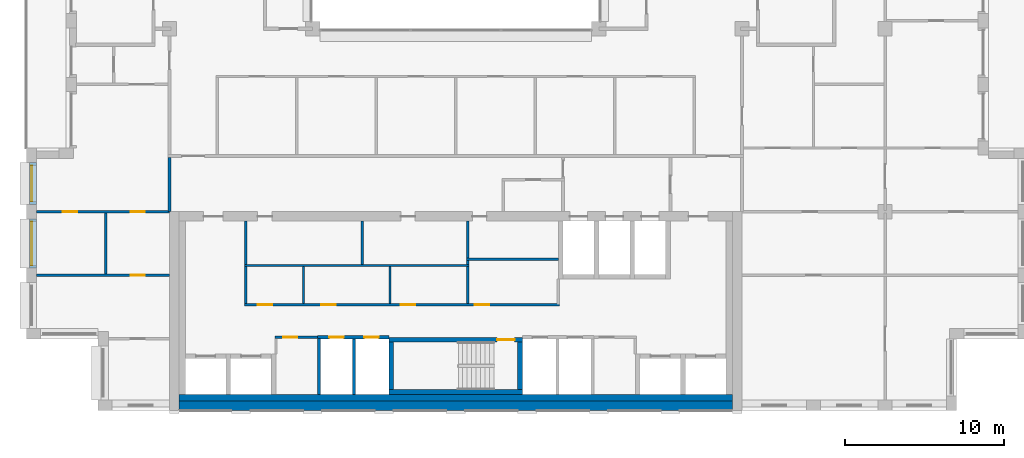
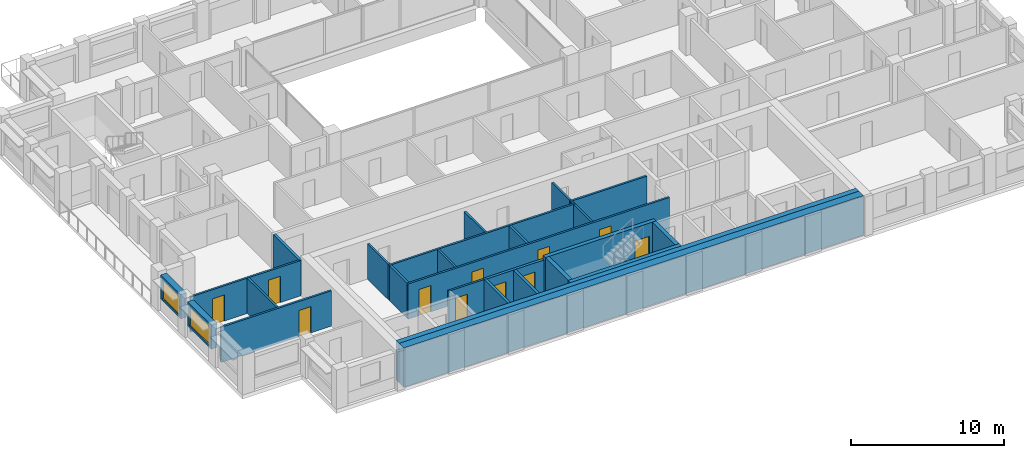
# One storey, part 8 of 15: 27 walls, 11 doors, 2 windows, 13 openings.
"""IFC4 building model written with IfcOpenShell, lengths in metres."""

from ifc_helpers import new_model, si_unit, direction, frame, frame_2d, origin, place, context, subcontext, project, spatial, rectangle, extrude, material, layer, layer_set, type_object, element, fill, save


model = new_model("IFC4")

# Units and contexts
model_context = context("Model", 3, precision=1e-05, world=origin(), true_north=direction((0.0, 1.0)))
body_context = subcontext(model_context, "Body", "Model", "MODEL_VIEW")
ifc_project = project(units=[si_unit("LENGTHUNIT", "METRE"), si_unit("AREAUNIT", "SQUARE_METRE"), si_unit("VOLUMEUNIT", "CUBIC_METRE"), si_unit("PLANEANGLEUNIT", "RADIAN"), si_unit("MASSUNIT", "GRAM", prefix="KILO")], contexts=[model_context])

# Site, building, storey
site_placement = place(None, origin())
site = spatial("IfcSite", under=ifc_project, at=site_placement, CompositionType="ELEMENT")
building_placement = place(site_placement, origin())
building = spatial("IfcBuilding", under=site, at=building_placement, Name="Brigalow Station Residences", CompositionType="ELEMENT")
storey_placement = place(building_placement, frame((0.0, 0.0, 210.60009765625)))
storey = spatial("IfcBuildingStorey", under=building, at=storey_placement, Name="L60", CompositionType="ELEMENT", Elevation=210.60009765625)

# Wall, opening, window
ifc_material_1 = material(Name="Clay brick masonry", Category="masonry")
ifc_layer_1 = layer(ifc_material_1, 0.449951171875)
ifc_layer_set_1 = layer_set([ifc_layer_1], Name="BRICK INFILL WALL 450")
wall_type_1 = type_object("IfcWallType", Name="BRICK INFILL WALL 450", PredefinedType="SOLIDWALL", material=ifc_layer_set_1)
wall_1_placement = place(storey_placement, frame((9.425048828125, 15.60009765625, 0.89990234375), z_axis=(0.0, 0.0, 1.0), x_axis=(0.0, -1.0, 0.0)))
wall_1 = element("IfcWall", 1, at=wall_1_placement, inside=storey, type_object=wall_type_1, Name="L60/ewall/W-L60-41", PredefinedType="SOLIDWALL", context=body_context, shape_type="SweptSolid", body=[
    extrude(rectangle(XDim=2.650146484375, YDim=0.449951171875, at=frame_2d((1.3251953125, 0.0))), origin(), (0.0, 0.0, 1.0), 1.929931640625),
])
opening_1_placement = place(wall_1_placement, frame((0.199951171875, 0.0, 0.14990234375)))
opening_1 = element("IfcOpeningElement", 2, at=opening_1_placement, cuts=wall_1, Name="Opening WT-6", PredefinedType="OPENING", context=body_context, shape_type="SweptSolid", body=[
    extrude(rectangle(XDim=2.25, YDim=1.5, at=frame_2d((1.125, 0.75))), frame((0.0, 0.23486328125, 0.0), z_axis=(0.0, -1.0, 0.0), x_axis=(1.0, 0.0, 0.0)), (0.0, 0.0, 1.0), 0.469970703125),
])
ifc_material_2 = material(Name="Anodised aluminium frame with double glazing", Category="aluminium")
window_type_1 = type_object("IfcWindowType", Name="WINDOW 2250x1500", PartitioningType="SINGLE_PANEL", PredefinedType="WINDOW", material=ifc_material_2)
window_1_placement = place(opening_1_placement, origin())
window_1 = element("IfcWindow", 3, at=window_1_placement, inside=storey, type_object=window_type_1, Name="L60/window/W-L60-41", OverallHeight=1.5, OverallWidth=2.25, PartitioningType="SINGLE_PANEL", PredefinedType="WINDOW", context=body_context, shape_type="SweptSolid", body=[
    extrude(rectangle(XDim=2.25, YDim=1.5, at=frame_2d((1.125, 0.75))), frame((0.0, -0.06494140625, 0.0), z_axis=(0.0, -1.0, 0.0), x_axis=(1.0, 0.0, 0.0)), (0.0, 0.0, 1.0), 0.06005859375),
])
fill(opening_1, window_1)

wall_2_placement = place(storey_placement, frame((9.425048828125, 12.050048828125, 0.89990234375), z_axis=(0.0, 0.0, 1.0), x_axis=(0.0, -1.0, 0.0)))
wall_2 = element("IfcWall", 4, at=wall_2_placement, inside=storey, type_object=wall_type_1, Name="L60/ewall/W-L60-42", PredefinedType="SOLIDWALL", context=body_context, shape_type="SweptSolid", body=[
    extrude(rectangle(XDim=3.10009765625, YDim=0.449951171875, at=frame_2d((1.550048828125, 0.0))), origin(), (0.0, 0.0, 1.0), 1.929931640625),
])
opening_2_placement = place(wall_2_placement, frame((0.175048828125, 0.0, 0.14990234375)))
opening_2 = element("IfcOpeningElement", 5, at=opening_2_placement, cuts=wall_2, Name="Opening WT-3", PredefinedType="OPENING", context=body_context, shape_type="SweptSolid", body=[
    extrude(rectangle(XDim=2.75, YDim=1.5, at=frame_2d((1.375, 0.75))), frame((0.0, 0.23486328125, 0.0), z_axis=(0.0, -1.0, 0.0), x_axis=(1.0, 0.0, 0.0)), (0.0, 0.0, 1.0), 0.469970703125),
])
ifc_material_3 = material(Name="Anodised aluminium frame with double glazing", Category="aluminium")
window_type_2 = type_object("IfcWindowType", Name="WINDOW 2750x1500", PartitioningType="SINGLE_PANEL", PredefinedType="WINDOW", material=ifc_material_3)
window_2_placement = place(opening_2_placement, origin())
window_2 = element("IfcWindow", 6, at=window_2_placement, inside=storey, type_object=window_type_2, Name="L60/window/W-L60-42", OverallHeight=1.5, OverallWidth=2.75, PartitioningType="SINGLE_PANEL", PredefinedType="WINDOW", context=body_context, shape_type="SweptSolid", body=[
    extrude(rectangle(XDim=2.75, YDim=1.5, at=frame_2d((1.375, 0.75))), frame((0.0, -0.06494140625, 0.0), z_axis=(0.0, -1.0, 0.0), x_axis=(1.0, 0.0, 0.0)), (0.0, 0.0, 1.0), 0.06005859375),
])
fill(opening_2, window_2)

# Wall
ifc_material_4 = material(Name="Concrete C50", Category="concrete")
ifc_layer_2 = layer(ifc_material_4, 0.300048828125)
ifc_layer_set_2 = layer_set([ifc_layer_2], Name="CORE SHEAR WALL 300 C50")
wall_type_2 = type_object("IfcWallType", Name="CORE SHEAR WALL 300 C50", PredefinedType="SHEAR", material=ifc_layer_set_2)
wall_3_placement = place(storey_placement, frame((31.800048828125, 1.14990234375, 0.0), z_axis=(0.0, 0.0, 1.0), x_axis=(1.0, 0.0, 0.0)))
element("IfcWall", 7, at=wall_3_placement, inside=storey, type_object=wall_type_2, Name="CORE WALL ST-S2-S L60", PredefinedType="SHEAR", context=body_context, shape_type="SweptSolid", body=[
    extrude(rectangle(XDim=8.39990234375, YDim=0.300048828125, at=frame_2d((4.199951171875, 0.0))), origin(), (0.0, 0.0, 1.0), 3.14990234375),
])

# Wall, opening, door
wall_4_placement = place(storey_placement, frame((31.800048828125, 4.449951171875, 0.0), z_axis=(0.0, 0.0, 1.0), x_axis=(1.0, 0.0, 0.0)))
wall_4 = element("IfcWall", 8, at=wall_4_placement, inside=storey, type_object=wall_type_2, Name="CORE WALL ST-S2-N L60", PredefinedType="SHEAR", context=body_context, shape_type="SweptSolid", body=[
    extrude(rectangle(XDim=8.39990234375, YDim=0.300048828125, at=frame_2d((4.199951171875, 0.0))), origin(), (0.0, 0.0, 1.0), 3.14990234375),
])
opening_3_placement = place(wall_4_placement, frame((6.800048828125, 0.0, 0.0)))
opening_3 = element("IfcOpeningElement", 9, at=opening_3_placement, cuts=wall_4, Name="Opening D-5001", PredefinedType="OPENING", context=body_context, shape_type="SweptSolid", body=[
    extrude(rectangle(XDim=1.10009765625, YDim=2.10009765625, at=frame_2d((0.550048828125, 1.050048828125))), frame((0.0, 0.16015625, 0.0), z_axis=(0.0, -1.0, 0.0), x_axis=(1.0, 0.0, 0.0)), (0.0, 0.0, 1.0), 0.320068359375),
])
ifc_material_5 = material(Name="Steel fire door leaf in steel frame", Category="steel")
door_type_1 = type_object("IfcDoorType", Name="STAIR DOOR 1100 x 2100 FD60S", OperationType="SINGLE_SWING_LEFT", PredefinedType="DOOR", material=ifc_material_5)
door_1_placement = place(opening_3_placement, frame((1.10009765625, 0.0, 0.0), z_axis=(0.0, 0.0, 1.0), x_axis=(-1.0, 0.0, 0.0)))
door_1 = element("IfcDoor", 10, at=door_1_placement, inside=storey, type_object=door_type_1, Name="D-5001", OperationType="SINGLE_SWING_LEFT", OverallHeight=2.10009765625, OverallWidth=1.10009765625, PredefinedType="DOOR", context=body_context, shape_type="SweptSolid", body=[
    extrude(rectangle(XDim=1.10009765625, YDim=2.10009765625, at=frame_2d((0.550048828125, 1.050048828125))), frame((0.0, 0.02490234375, 0.0), z_axis=(0.0, -1.0, 0.0), x_axis=(1.0, 0.0, 0.0)), (0.0, 0.0, 1.0), 0.050048828125),
])
fill(opening_3, door_1)

# Walls
for number, where, z_axis, x_axis, name in (
    (11, (31.949951171875, 1.300048828125, 0.0), (0.0, 0.0, 1.0), (0.0, 1.0, 0.0), "CORE WALL ST-S2-W L60"),
    (12, (40.050048828125, 1.300048828125, 0.0), (0.0, 0.0, 1.0), (0.0, 1.0, 0.0), "CORE WALL ST-S2-E L60"),
):
    element("IfcWall", number, at=place(storey_placement, frame(where, z_axis=z_axis, x_axis=x_axis)), inside=storey, type_object=wall_type_2, Name=name, PredefinedType="SHEAR", context=body_context, shape_type="SweptSolid", body=[
        extrude(rectangle(XDim=3.0, YDim=0.300048828125, at=frame_2d((1.5, 0.0))), origin(), (0.0, 0.0, 1.0), 3.14990234375),
    ])
ifc_material_6 = material(Name="Concrete C50", Category="concrete")
ifc_layer_3 = layer(ifc_material_6, 0.39990234375)
ifc_layer_set_3 = layer_set([ifc_layer_3], Name="CORE SHEAR WALL 400 C50")
wall_type_3 = type_object("IfcWallType", Name="CORE SHEAR WALL 400 C50", PredefinedType="SHEAR", material=ifc_layer_set_3)
wall_5_placement = place(storey_placement, frame((18.60009765625, 0.800048828125, 0.0), z_axis=(0.0, 0.0, 1.0), x_axis=(1.0, 0.0, 0.0)))
element("IfcWall", 13, at=wall_5_placement, inside=storey, type_object=wall_type_3, Name="CORE WALL LIN-S L60", PredefinedType="SHEAR", context=body_context, shape_type="SweptSolid", body=[
    extrude(rectangle(XDim=34.7998046875, YDim=0.39990234375, at=frame_2d((17.39990234375, 0.0))), origin(), (0.0, 0.0, 1.0), 3.14990234375),
])
ifc_material_7 = material(Name="Concrete C50", Category="concrete")
ifc_layer_4 = layer(ifc_material_7, 0.60009765625)
ifc_layer_set_4 = layer_set([ifc_layer_4], Name="CORE SHEAR WALL 600 C50")
wall_type_4 = type_object("IfcWallType", Name="CORE SHEAR WALL 600 C50", PredefinedType="SHEAR", material=ifc_layer_set_4)
wall_6_placement = place(storey_placement, frame((18.60009765625, 0.300048828125, 0.0), z_axis=(0.0, 0.0, 1.0), x_axis=(1.0, 0.0, 0.0)))
element("IfcWall", 14, at=wall_6_placement, inside=storey, type_object=wall_type_4, Name="CORE WALL OUT-S L60", PredefinedType="SHEAR", context=body_context, shape_type="SweptSolid", body=[
    extrude(rectangle(XDim=34.7998046875, YDim=0.60009765625, at=frame_2d((17.39990234375, 0.0))), origin(), (0.0, 0.0, 1.0), 3.14990234375),
])

# Wall, openings, doors
ifc_material_8 = material(Name="Concrete blockwork", Category="masonry")
ifc_layer_5 = layer(ifc_material_8, 0.199951171875)
ifc_layer_set_5 = layer_set([ifc_layer_5], Name="FIRE RATED CORE PARTITION 200")
wall_type_5 = type_object("IfcWallType", Name="FIRE RATED CORE PARTITION 200", PredefinedType="PARTITIONING", material=ifc_layer_set_5)
wall_7_placement = place(storey_placement, frame((27.300048828125, 4.60009765625, 0.0), z_axis=(0.0, 0.0, 1.0), x_axis=(1.0, 0.0, 0.0)))
wall_7 = element("IfcWall", 15, at=wall_7_placement, inside=storey, type_object=wall_type_5, Name="PW-5017", PredefinedType="PARTITIONING", context=body_context, shape_type="SweptSolid", body=[
    extrude(rectangle(XDim=4.5, YDim=0.199951171875, at=frame_2d((2.25, 0.0))), origin(), (0.0, 0.0, 1.0), 2.829833984375),
])
opening_4_placement = place(wall_7_placement, frame((0.75, 0.0, 0.0)))
opening_4 = element("IfcOpeningElement", 16, at=opening_4_placement, cuts=wall_7, Name="Opening D-5007", PredefinedType="OPENING", context=body_context, shape_type="SweptSolid", body=[
    extrude(rectangle(XDim=0.89990234375, YDim=2.10009765625, at=frame_2d((0.449951171875, 1.050048828125))), frame((0.0, 0.10986328125, 0.0), z_axis=(0.0, -1.0, 0.0), x_axis=(1.0, 0.0, 0.0)), (0.0, 0.0, 1.0), 0.219970703125),
])
opening_5_placement = place(wall_7_placement, frame((2.949951171875, 0.0, 0.0)))
opening_5 = element("IfcOpeningElement", 17, at=opening_5_placement, cuts=wall_7, Name="Opening D-5008", PredefinedType="OPENING", context=body_context, shape_type="SweptSolid", body=[
    extrude(rectangle(XDim=0.89990234375, YDim=2.10009765625, at=frame_2d((0.449951171875, 1.050048828125))), frame((0.0, 0.10986328125, 0.0), z_axis=(0.0, -1.0, 0.0), x_axis=(1.0, 0.0, 0.0)), (0.0, 0.0, 1.0), 0.219970703125),
])
ifc_material_9 = material(Name="Steel fire door leaf in steel frame", Category="steel")
door_type_2 = type_object("IfcDoorType", Name="RISER ACCESS DOOR 900 x 2100 FD120", OperationType="SINGLE_SWING_LEFT", PredefinedType="DOOR", material=ifc_material_9)
door_2_placement = place(opening_4_placement, frame((0.89990234375, 0.0, 0.0), z_axis=(0.0, 0.0, 1.0), x_axis=(-1.0, 0.0, 0.0)))
door_2 = element("IfcDoor", 18, at=door_2_placement, inside=storey, type_object=door_type_2, Name="D-5007", OperationType="SINGLE_SWING_RIGHT", OverallHeight=2.10009765625, OverallWidth=0.89990234375, PredefinedType="DOOR", context=body_context, shape_type="SweptSolid", body=[
    extrude(rectangle(XDim=0.89990234375, YDim=2.10009765625, at=frame_2d((0.449951171875, 1.050048828125))), frame((0.0, 0.02490234375, 0.0), z_axis=(0.0, -1.0, 0.0), x_axis=(1.0, 0.0, 0.0)), (0.0, 0.0, 1.0), 0.050048828125),
])
fill(opening_4, door_2)
door_3_placement = place(opening_5_placement, frame((0.89990234375, 0.0, 0.0), z_axis=(0.0, 0.0, 1.0), x_axis=(-1.0, 0.0, 0.0)))
door_3 = element("IfcDoor", 19, at=door_3_placement, inside=storey, type_object=door_type_2, Name="D-5008", OperationType="SINGLE_SWING_RIGHT", OverallHeight=2.10009765625, OverallWidth=0.89990234375, PredefinedType="DOOR", context=body_context, shape_type="SweptSolid", body=[
    extrude(rectangle(XDim=0.89990234375, YDim=2.10009765625, at=frame_2d((0.449951171875, 1.050048828125))), frame((0.0, 0.02490234375, 0.0), z_axis=(0.0, -1.0, 0.0), x_axis=(1.0, 0.0, 0.0)), (0.0, 0.0, 1.0), 0.050048828125),
])
fill(opening_5, door_3)

# Walls
wall_8_placement = place(storey_placement, frame((27.39990234375, 1.0, 0.0), z_axis=(0.0, 0.0, 1.0), x_axis=(0.0, 1.0, 0.0)))
element("IfcWall", 20, at=wall_8_placement, inside=storey, type_object=wall_type_5, Name="PW-5027", PredefinedType="PARTITIONING", context=body_context, shape_type="SweptSolid", body=[
    extrude(rectangle(XDim=3.52490234375, YDim=0.199951171875, at=frame_2d((1.762451171875, 0.0))), origin(), (0.0, 0.0, 1.0), 2.829833984375),
])
wall_9_placement = place(storey_placement, frame((29.60009765625, 1.0, 0.0), z_axis=(0.0, 0.0, 1.0), x_axis=(0.0, 1.0, 0.0)))
element("IfcWall", 21, at=wall_9_placement, inside=storey, type_object=wall_type_5, Name="PW-5006", PredefinedType="PARTITIONING", context=body_context, shape_type="SweptSolid", body=[
    extrude(rectangle(XDim=3.5, YDim=0.199951171875, at=frame_2d((1.75, 0.0))), origin(), (0.0, 0.0, 1.0), 2.829833984375),
])
wall_10_placement = place(storey_placement, frame((18.0, 12.5, 0.0), z_axis=(0.0, 0.0, 1.0), x_axis=(0.0, 1.0, 0.0)))
element("IfcWall", 22, at=wall_10_placement, inside=storey, type_object=wall_type_5, Name="PW-5013", PredefinedType="PARTITIONING", context=body_context, shape_type="SweptSolid", body=[
    extrude(rectangle(XDim=3.39990234375, YDim=0.199951171875, at=frame_2d((1.699951171875, 0.0))), origin(), (0.0, 0.0, 1.0), 2.829833984375),
])

# Wall, openings, doors
ifc_material_10 = material(Name="Plasterboard on steel stud partition", Category="steel")
ifc_layer_6 = layer(ifc_material_10, 0.14990234375)
ifc_layer_set_6 = layer_set([ifc_layer_6], Name="FLAT PARTITION 150")
wall_type_6 = type_object("IfcWallType", Name="FLAT PARTITION 150", PredefinedType="PARTITIONING", material=ifc_layer_set_6)
wall_11_placement = place(storey_placement, frame((9.64990234375, 12.5, 0.0), z_axis=(0.0, 0.0, 1.0), x_axis=(1.0, 0.0, 0.0)))
wall_11 = element("IfcWall", 23, at=wall_11_placement, inside=storey, type_object=wall_type_6, Name="PW-4B10", PredefinedType="PARTITIONING", context=body_context, shape_type="SweptSolid", body=[
    extrude(rectangle(XDim=8.35009765625, YDim=0.14990234375, at=frame_2d((4.175048828125, 0.0))), origin(), (0.0, 0.0, 1.0), 2.829833984375),
])
opening_6_placement = place(wall_11_placement, frame((1.64990234375, 0.0, 0.0)))
opening_6 = element("IfcOpeningElement", 24, at=opening_6_placement, cuts=wall_11, Name="Opening D-4B06", PredefinedType="OPENING", context=body_context, shape_type="SweptSolid", body=[
    extrude(rectangle(XDim=0.89990234375, YDim=2.10009765625, at=frame_2d((0.449951171875, 1.050048828125))), frame((0.0, 0.0849609375, 0.0), z_axis=(0.0, -1.0, 0.0), x_axis=(1.0, 0.0, 0.0)), (0.0, 0.0, 1.0), 0.169921875),
])
opening_7_placement = place(wall_11_placement, frame((5.89990234375, 0.0, 0.0)))
opening_7 = element("IfcOpeningElement", 25, at=opening_7_placement, cuts=wall_11, Name="Opening D-4B07", PredefinedType="OPENING", context=body_context, shape_type="SweptSolid", body=[
    extrude(rectangle(XDim=0.89990234375, YDim=2.10009765625, at=frame_2d((0.449951171875, 1.050048828125))), frame((0.0, 0.0849609375, 0.0), z_axis=(0.0, -1.0, 0.0), x_axis=(1.0, 0.0, 0.0)), (0.0, 0.0, 1.0), 0.169921875),
])
ifc_material_11 = material(Name="Solid-core timber door leaf", Category="wood")
door_type_3 = type_object("IfcDoorType", Name="INTERNAL DOOR 900 x 2100", OperationType="SINGLE_SWING_LEFT", PredefinedType="DOOR", material=ifc_material_11)
door_4_placement = place(opening_6_placement, frame((0.89990234375, 0.0, 0.0), z_axis=(0.0, 0.0, 1.0), x_axis=(-1.0, 0.0, 0.0)))
door_4 = element("IfcDoor", 26, at=door_4_placement, inside=storey, type_object=door_type_3, Name="D-4B06", OperationType="SINGLE_SWING_RIGHT", OverallHeight=2.10009765625, OverallWidth=0.89990234375, PredefinedType="DOOR", context=body_context, shape_type="SweptSolid", body=[
    extrude(rectangle(XDim=0.89990234375, YDim=2.10009765625, at=frame_2d((0.449951171875, 1.050048828125))), frame((0.0, 0.02490234375, 0.0), z_axis=(0.0, -1.0, 0.0), x_axis=(1.0, 0.0, 0.0)), (0.0, 0.0, 1.0), 0.050048828125),
])
fill(opening_6, door_4)
door_5_placement = place(opening_7_placement, origin())
door_5 = element("IfcDoor", 27, at=door_5_placement, inside=storey, type_object=door_type_3, Name="D-4B07", OperationType="SINGLE_SWING_RIGHT", OverallHeight=2.10009765625, OverallWidth=0.89990234375, PredefinedType="DOOR", context=body_context, shape_type="SweptSolid", body=[
    extrude(rectangle(XDim=0.89990234375, YDim=2.10009765625, at=frame_2d((0.449951171875, 1.050048828125))), frame((0.0, 0.02490234375, 0.0), z_axis=(0.0, -1.0, 0.0), x_axis=(1.0, 0.0, 0.0)), (0.0, 0.0, 1.0), 0.050048828125),
])
fill(opening_7, door_5)

# Wall, opening, door
wall_12_placement = place(storey_placement, frame((9.64990234375, 8.5, 0.0), z_axis=(0.0, 0.0, 1.0), x_axis=(1.0, 0.0, 0.0)))
wall_12 = element("IfcWall", 28, at=wall_12_placement, inside=storey, type_object=wall_type_6, Name="PW-4B12", PredefinedType="PARTITIONING", context=body_context, shape_type="SweptSolid", body=[
    extrude(rectangle(XDim=8.35009765625, YDim=0.14990234375, at=frame_2d((4.175048828125, 0.0))), origin(), (0.0, 0.0, 1.0), 2.829833984375),
])
opening_8_placement = place(wall_12_placement, frame((5.89990234375, 0.0, 0.0)))
opening_8 = element("IfcOpeningElement", 29, at=opening_8_placement, cuts=wall_12, Name="Opening D-4B08", PredefinedType="OPENING", context=body_context, shape_type="SweptSolid", body=[
    extrude(rectangle(XDim=0.89990234375, YDim=2.10009765625, at=frame_2d((0.449951171875, 1.050048828125))), frame((0.0, 0.0849609375, 0.0), z_axis=(0.0, -1.0, 0.0), x_axis=(1.0, 0.0, 0.0)), (0.0, 0.0, 1.0), 0.169921875),
])
door_6_placement = place(opening_8_placement, frame((0.89990234375, 0.0, 0.0), z_axis=(0.0, 0.0, 1.0), x_axis=(-1.0, 0.0, 0.0)))
door_6 = element("IfcDoor", 30, at=door_6_placement, inside=storey, type_object=door_type_3, Name="D-4B08", OperationType="SINGLE_SWING_LEFT", OverallHeight=2.10009765625, OverallWidth=0.89990234375, PredefinedType="DOOR", context=body_context, shape_type="SweptSolid", body=[
    extrude(rectangle(XDim=0.89990234375, YDim=2.10009765625, at=frame_2d((0.449951171875, 1.050048828125))), frame((0.0, 0.02490234375, 0.0), z_axis=(0.0, -1.0, 0.0), x_axis=(1.0, 0.0, 0.0)), (0.0, 0.0, 1.0), 0.050048828125),
])
fill(opening_8, door_6)

# Wall
wall_13_placement = place(storey_placement, frame((14.0, 8.574951171875, 0.0), z_axis=(0.0, 0.0, 1.0), x_axis=(0.0, 1.0, 0.0)))
element("IfcWall", 31, at=wall_13_placement, inside=storey, type_object=wall_type_6, Name="PW-4B38", PredefinedType="PARTITIONING", context=body_context, shape_type="SweptSolid", body=[
    extrude(rectangle(XDim=3.85009765625, YDim=0.14990234375, at=frame_2d((1.925048828125, 0.0))), origin(), (0.0, 0.0, 1.0), 2.829833984375),
])

# Wall, opening, door
ifc_material_12 = material(Name="Plasterboard on steel studs", Category="steel")
ifc_layer_7 = layer(ifc_material_12, 0.14990234375)
ifc_layer_set_7 = layer_set([ifc_layer_7], Name="SERVICE ROOM PARTITION 150")
wall_type_7 = type_object("IfcWallType", Name="SERVICE ROOM PARTITION 150", PredefinedType="PARTITIONING", material=ifc_layer_set_7)
wall_14_placement = place(storey_placement, frame((24.625, 4.60009765625, 0.0), z_axis=(0.0, 0.0, 1.0), x_axis=(1.0, 0.0, 0.0)))
wall_14 = element("IfcWall", 32, at=wall_14_placement, inside=storey, type_object=wall_type_7, Name="PW-5155", PredefinedType="PARTITIONING", context=body_context, shape_type="SweptSolid", body=[
    extrude(rectangle(XDim=2.675048828125, YDim=0.14990234375, at=frame_2d((1.33740234375, 0.0))), origin(), (0.0, 0.0, 1.0), 2.829833984375),
])
opening_9_placement = place(wall_14_placement, frame((0.52490234375, 0.0, 0.0)))
opening_9 = element("IfcOpeningElement", 33, at=opening_9_placement, cuts=wall_14, Name="Opening D-5087", PredefinedType="OPENING", context=body_context, shape_type="SweptSolid", body=[
    extrude(rectangle(XDim=0.89990234375, YDim=2.10009765625, at=frame_2d((0.449951171875, 1.050048828125))), frame((0.0, 0.0849609375, 0.0), z_axis=(0.0, -1.0, 0.0), x_axis=(1.0, 0.0, 0.0)), (0.0, 0.0, 1.0), 0.169921875),
])
ifc_material_13 = material(Name="Steel door leaf in steel frame", Category="steel")
door_type_4 = type_object("IfcDoorType", Name="SERVICE ROOM DOOR 900 x 2100 FD60", OperationType="SINGLE_SWING_LEFT", PredefinedType="DOOR", material=ifc_material_13)
door_7_placement = place(opening_9_placement, frame((0.89990234375, 0.0, 0.0), z_axis=(0.0, 0.0, 1.0), x_axis=(-1.0, 0.0, 0.0)))
door_7 = element("IfcDoor", 34, at=door_7_placement, inside=storey, type_object=door_type_4, Name="D-5087", OperationType="SINGLE_SWING_RIGHT", OverallHeight=2.10009765625, OverallWidth=0.89990234375, PredefinedType="DOOR", context=body_context, shape_type="SweptSolid", body=[
    extrude(rectangle(XDim=0.89990234375, YDim=2.10009765625, at=frame_2d((0.449951171875, 1.050048828125))), frame((0.0, 0.02490234375, 0.0), z_axis=(0.0, -1.0, 0.0), x_axis=(1.0, 0.0, 0.0)), (0.0, 0.0, 1.0), 0.050048828125),
])
fill(opening_9, door_7)

# Wall, openings, doors
wall_15_placement = place(storey_placement, frame((22.72509765625, 6.64990234375, 0.0), z_axis=(0.0, 0.0, 1.0), x_axis=(1.0, 0.0, 0.0)))
wall_15 = element("IfcWall", 35, at=wall_15_placement, inside=storey, type_object=wall_type_7, Name="PW-5195", PredefinedType="PARTITIONING", context=body_context, shape_type="SweptSolid", body=[
    extrude(rectangle(XDim=19.7998046875, YDim=0.14990234375, at=frame_2d((9.89990234375, 0.0))), origin(), (0.0, 0.0, 1.0), 2.829833984375),
])
opening_10_placement = place(wall_15_placement, frame((0.824951171875, 0.0, 0.0)))
opening_10 = element("IfcOpeningElement", 36, at=opening_10_placement, cuts=wall_15, Name="Opening D-5110", PredefinedType="OPENING", context=body_context, shape_type="SweptSolid", body=[
    extrude(rectangle(XDim=0.89990234375, YDim=2.10009765625, at=frame_2d((0.449951171875, 1.050048828125))), frame((0.0, 0.0849609375, 0.0), z_axis=(0.0, -1.0, 0.0), x_axis=(1.0, 0.0, 0.0)), (0.0, 0.0, 1.0), 0.169921875),
])
opening_11_placement = place(wall_15_placement, frame((4.824951171875, 0.0, 0.0)))
opening_11 = element("IfcOpeningElement", 37, at=opening_11_placement, cuts=wall_15, Name="Opening D-5116", PredefinedType="OPENING", context=body_context, shape_type="SweptSolid", body=[
    extrude(rectangle(XDim=0.89990234375, YDim=2.10009765625, at=frame_2d((0.449951171875, 1.050048828125))), frame((0.0, 0.0849609375, 0.0), z_axis=(0.0, -1.0, 0.0), x_axis=(1.0, 0.0, 0.0)), (0.0, 0.0, 1.0), 0.169921875),
])
opening_12_placement = place(wall_15_placement, frame((9.824951171875, 0.0, 0.0)))
opening_12 = element("IfcOpeningElement", 38, at=opening_12_placement, cuts=wall_15, Name="Opening D-5117", PredefinedType="OPENING", context=body_context, shape_type="SweptSolid", body=[
    extrude(rectangle(XDim=0.89990234375, YDim=2.10009765625, at=frame_2d((0.449951171875, 1.050048828125))), frame((0.0, 0.0849609375, 0.0), z_axis=(0.0, -1.0, 0.0), x_axis=(1.0, 0.0, 0.0)), (0.0, 0.0, 1.0), 0.169921875),
])
opening_13_placement = place(wall_15_placement, frame((14.47509765625, 0.0, 0.0)))
opening_13 = element("IfcOpeningElement", 39, at=opening_13_placement, cuts=wall_15, Name="Opening D-5114", PredefinedType="OPENING", context=body_context, shape_type="SweptSolid", body=[
    extrude(rectangle(XDim=0.89990234375, YDim=2.10009765625, at=frame_2d((0.449951171875, 1.050048828125))), frame((0.0, 0.0849609375, 0.0), z_axis=(0.0, -1.0, 0.0), x_axis=(1.0, 0.0, 0.0)), (0.0, 0.0, 1.0), 0.169921875),
])
door_8_placement = place(opening_10_placement, origin())
door_8 = element("IfcDoor", 40, at=door_8_placement, inside=storey, type_object=door_type_4, Name="D-5110", OperationType="SINGLE_SWING_LEFT", OverallHeight=2.10009765625, OverallWidth=0.89990234375, PredefinedType="DOOR", context=body_context, shape_type="SweptSolid", body=[
    extrude(rectangle(XDim=0.89990234375, YDim=2.10009765625, at=frame_2d((0.449951171875, 1.050048828125))), frame((0.0, 0.02490234375, 0.0), z_axis=(0.0, -1.0, 0.0), x_axis=(1.0, 0.0, 0.0)), (0.0, 0.0, 1.0), 0.050048828125),
])
fill(opening_10, door_8)
door_9_placement = place(opening_11_placement, origin())
door_9 = element("IfcDoor", 41, at=door_9_placement, inside=storey, type_object=door_type_4, Name="D-5116", OperationType="SINGLE_SWING_LEFT", OverallHeight=2.10009765625, OverallWidth=0.89990234375, PredefinedType="DOOR", context=body_context, shape_type="SweptSolid", body=[
    extrude(rectangle(XDim=0.89990234375, YDim=2.10009765625, at=frame_2d((0.449951171875, 1.050048828125))), frame((0.0, 0.02490234375, 0.0), z_axis=(0.0, -1.0, 0.0), x_axis=(1.0, 0.0, 0.0)), (0.0, 0.0, 1.0), 0.050048828125),
])
fill(opening_11, door_9)
door_10_placement = place(opening_12_placement, origin())
door_10 = element("IfcDoor", 42, at=door_10_placement, inside=storey, type_object=door_type_4, Name="D-5117", OperationType="SINGLE_SWING_LEFT", OverallHeight=2.10009765625, OverallWidth=0.89990234375, PredefinedType="DOOR", context=body_context, shape_type="SweptSolid", body=[
    extrude(rectangle(XDim=0.89990234375, YDim=2.10009765625, at=frame_2d((0.449951171875, 1.050048828125))), frame((0.0, 0.02490234375, 0.0), z_axis=(0.0, -1.0, 0.0), x_axis=(1.0, 0.0, 0.0)), (0.0, 0.0, 1.0), 0.050048828125),
])
fill(opening_12, door_10)
door_11_placement = place(opening_13_placement, origin())
door_11 = element("IfcDoor", 43, at=door_11_placement, inside=storey, type_object=door_type_4, Name="D-5114", OperationType="SINGLE_SWING_LEFT", OverallHeight=2.10009765625, OverallWidth=0.89990234375, PredefinedType="DOOR", context=body_context, shape_type="SweptSolid", body=[
    extrude(rectangle(XDim=0.89990234375, YDim=2.10009765625, at=frame_2d((0.449951171875, 1.050048828125))), frame((0.0, 0.02490234375, 0.0), z_axis=(0.0, -1.0, 0.0), x_axis=(1.0, 0.0, 0.0)), (0.0, 0.0, 1.0), 0.050048828125),
])
fill(opening_13, door_11)

# Walls
wall_16_placement = place(storey_placement, frame((22.72509765625, 9.110107421875, 0.0), z_axis=(0.0, 0.0, 1.0), x_axis=(1.0, 0.0, 0.0)))
element("IfcWall", 44, at=wall_16_placement, inside=storey, type_object=wall_type_7, Name="PW-5214", PredefinedType="PARTITIONING", context=body_context, shape_type="SweptSolid", body=[
    extrude(rectangle(XDim=14.099853515625, YDim=0.14990234375, at=frame_2d((7.0498046875, 0.0))), origin(), (0.0, 0.0, 1.0), 2.829833984375),
])
wall_17_placement = place(storey_placement, frame((36.675048828125, 9.5, 0.0), z_axis=(0.0, 0.0, 1.0), x_axis=(1.0, 0.0, 0.0)))
element("IfcWall", 45, at=wall_17_placement, inside=storey, type_object=wall_type_7, Name="PW-5215", PredefinedType="PARTITIONING", context=body_context, shape_type="SweptSolid", body=[
    extrude(rectangle(XDim=5.77490234375, YDim=0.14990234375, at=frame_2d((2.887451171875, 0.0))), origin(), (0.0, 0.0, 1.0), 2.829833984375),
])
for number, where, z_axis, x_axis, name in (
    (46, (22.800048828125, 6.72509765625, 0.0), (0.0, 0.0, 1.0), (0.0, 1.0, 0.0), "PW-5216"),
    (47, (26.429931640625, 6.72509765625, 0.0), (0.0, 0.0, 1.0), (0.0, 1.0, 0.0), "PW-5217"),
    (48, (31.8701171875, 6.72509765625, 0.0), (0.0, 0.0, 1.0), (0.0, 1.0, 0.0), "PW-5218"),
    (49, (36.75, 6.72509765625, 0.0), (0.0, 0.0, 1.0), (0.0, 1.0, 0.0), "PW-5219"),
):
    element("IfcWall", number, at=place(storey_placement, frame(where, z_axis=z_axis, x_axis=x_axis)), inside=storey, type_object=wall_type_7, Name=name, PredefinedType="PARTITIONING", context=body_context, shape_type="SweptSolid", body=[
        extrude(rectangle(XDim=2.309814453125, YDim=0.14990234375, at=frame_2d((1.15478515625, 0.0))), origin(), (0.0, 0.0, 1.0), 2.829833984375),
    ])
for number, where, z_axis, x_axis, name in (
    (50, (22.800048828125, 9.18505859375, 0.0), (0.0, 0.0, 1.0), (0.0, 1.0, 0.0), "PW-5220"),
    (51, (30.1201171875, 9.18505859375, 0.0), (0.0, 0.0, 1.0), (0.0, 1.0, 0.0), "PW-5221"),
):
    element("IfcWall", number, at=place(storey_placement, frame(where, z_axis=z_axis, x_axis=x_axis)), inside=storey, type_object=wall_type_7, Name=name, PredefinedType="PARTITIONING", context=body_context, shape_type="SweptSolid", body=[
        extrude(rectangle(XDim=2.71484375, YDim=0.14990234375, at=frame_2d((1.357421875, 0.0))), origin(), (0.0, 0.0, 1.0), 2.829833984375),
    ])
wall_18_placement = place(storey_placement, frame((36.75, 9.18505859375, 0.0), z_axis=(0.0, 0.0, 1.0), x_axis=(0.0, 1.0, 0.0)))
element("IfcWall", 52, at=wall_18_placement, inside=storey, type_object=wall_type_7, Name="PW-5222", PredefinedType="PARTITIONING", context=body_context, shape_type="SweptSolid", body=[
    extrude(rectangle(XDim=0.239990234375, YDim=0.14990234375, at=frame_2d((0.1201171875, 0.0))), origin(), (0.0, 0.0, 1.0), 2.829833984375),
])
wall_19_placement = place(storey_placement, frame((36.75, 9.574951171875, 0.0), z_axis=(0.0, 0.0, 1.0), x_axis=(0.0, 1.0, 0.0)))
element("IfcWall", 53, at=wall_19_placement, inside=storey, type_object=wall_type_7, Name="PW-5223", PredefinedType="PARTITIONING", context=body_context, shape_type="SweptSolid", body=[
    extrude(rectangle(XDim=2.324951171875, YDim=0.14990234375, at=frame_2d((1.16259765625, 0.0))), origin(), (0.0, 0.0, 1.0), 2.829833984375),
])

save(model, "model.ifc")
